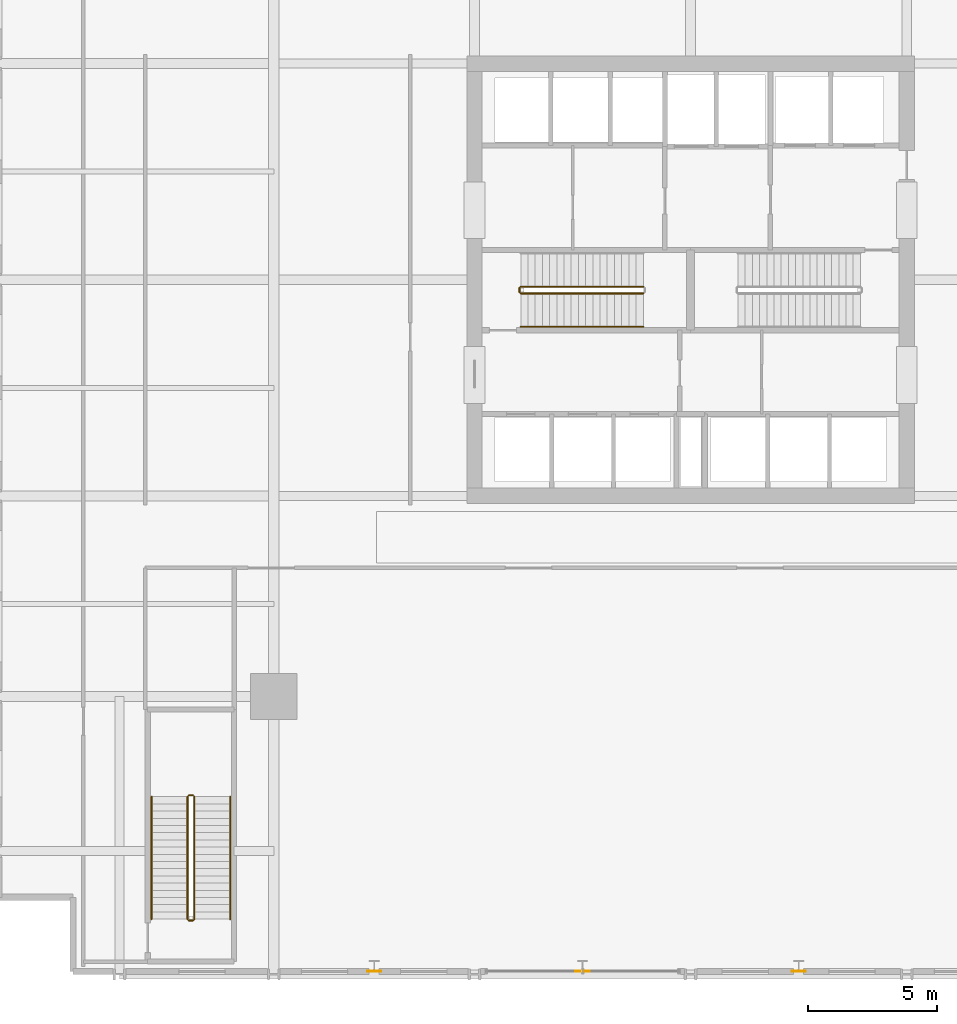
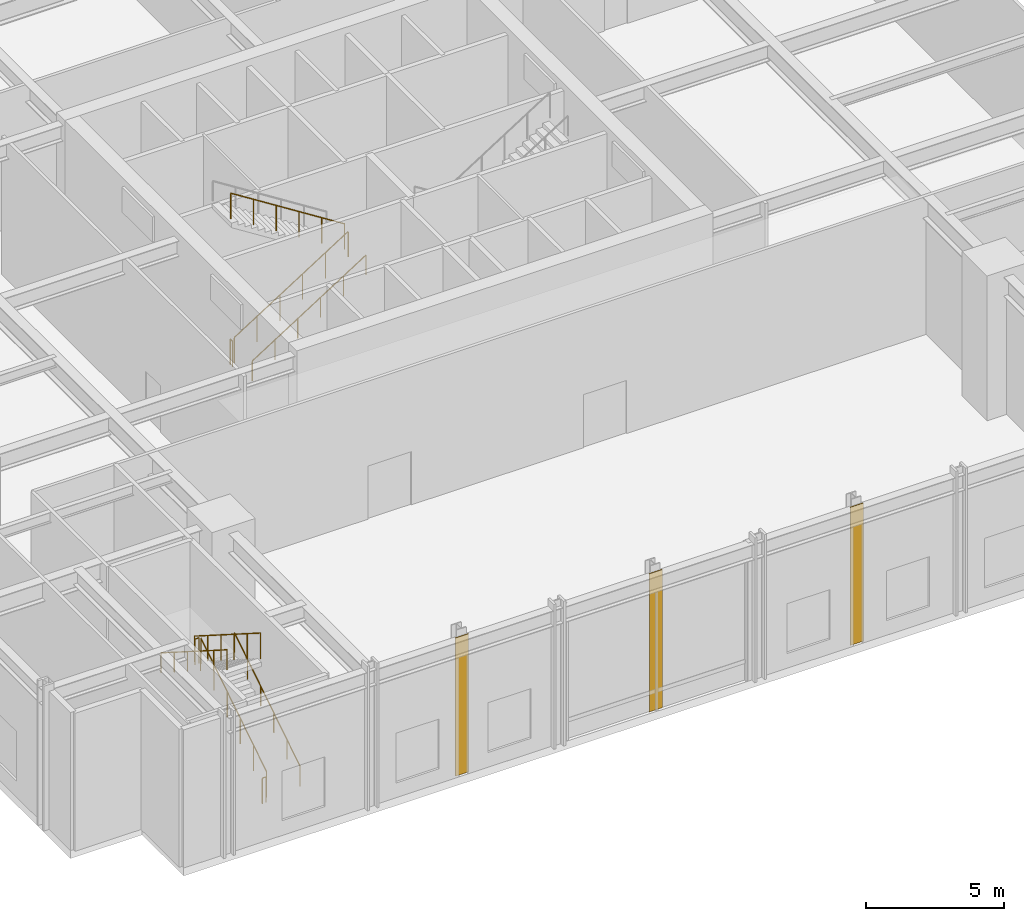
# One storey, part 15 of 20: 10 railings, 3 coverings.
"""IFC4 building model written with IfcOpenShell, lengths in metres."""

from ifc_helpers import new_model, si_unit, direction, frame, origin, origin_2d, place, context, subcontext, project, spatial, rectangle, circle, extrude, material, layer, layer_set, type_object, element, save


model = new_model("IFC4")

# Units and contexts
model_context = context("Model", 3, precision=1e-05, world=origin(), true_north=direction((0.0, 1.0)))
body_context = subcontext(model_context, "Body", "Model", "MODEL_VIEW")
ifc_project = project(units=[si_unit("LENGTHUNIT", "METRE"), si_unit("AREAUNIT", "SQUARE_METRE"), si_unit("VOLUMEUNIT", "CUBIC_METRE"), si_unit("PLANEANGLEUNIT", "RADIAN"), si_unit("MASSUNIT", "GRAM", prefix="KILO")], contexts=[model_context])

# Site, building, storey
site_placement = place(None, origin())
site = spatial("IfcSite", under=ifc_project, at=site_placement, CompositionType="ELEMENT")
building_placement = place(site_placement, origin())
building = spatial("IfcBuilding", under=site, at=building_placement, Name="Drelvath Grand Hotel", CompositionType="ELEMENT")
storey_placement = place(building_placement, frame((0.0, 0.0, 10.800048828125)))
storey = spatial("IfcBuildingStorey", under=building, at=storey_placement, Name="L02", CompositionType="ELEMENT", Elevation=10.800048828125)

# Coverings
ifc_material_1 = material(Name="Warm Bronze Anodised Aluminium Cladding", Category="aluminium")
ifc_layer = layer(ifc_material_1, 0.034912109375)
ifc_layer_set = layer_set([ifc_layer], Name="Warm Bronze Anodised Aluminium Cladding")
covering_type = type_object("IfcCoveringType", Name="Bronze Anodised Pier Cladding Panel 35", PredefinedType="CLADDING", material=ifc_layer_set)
for number, where, z_axis, x_axis, name in (
    (1, (-12.300048828125, 0.1201171875, 0.0), (0.0, 0.0, 1.0), (1.0, 0.0, 0.0), "L02 Colonnade Bronze Pier Cladding S1"),
    (2, (-4.199951171875, 0.1201171875, 0.0), (0.0, 0.0, 1.0), (1.0, 0.0, 0.0), "L02 Colonnade Bronze Pier Cladding S2"),
    (3, (4.199951171875, 0.1201171875, 0.0), (0.0, 0.0, 1.0), (1.0, 0.0, 0.0), "L02 Colonnade Bronze Pier Cladding S3"),
):
    element("IfcCovering", number, at=place(storey_placement, frame(where, z_axis=z_axis, x_axis=x_axis)), inside=storey, type_object=covering_type, Name=name, PredefinedType="CLADDING", context=body_context, shape_type="SweptSolid", body=[
        extrude(rectangle(XDim=0.550048828125, YDim=0.034912109375, at=origin_2d()), origin(), (0.0, 0.0, 1.0), 6.10009765625),
    ])

# Railings
ifc_material_2 = material(Name="Painted Steel S275", Category="steel")
railing_type_1 = type_object("IfcRailingType", Name="Core Stair Wall Handrail 900", PredefinedType="HANDRAIL", material=ifc_material_2)
railing_1_placement = place(storey_placement, frame((-6.60009765625, 25.169921875, 0.177734375)))
element("IfcRailing", 4, at=railing_1_placement, inside=storey, type_object=railing_type_1, Name="L02 ST-1 stair handrail 1", PredefinedType="HANDRAIL", context=body_context, shape_type="SweptSolid", body=[
    extrude(circle(Radius=0.02392578125, at=origin_2d()), frame((0.0, 0.0, 0.8759765625), z_axis=(0.844213748262, 0.0, 0.536006667166), x_axis=(0.0, 1.0, 0.0)), (0.0, 0.0, 1.0), 5.638427734375),
    extrude(circle(Radius=0.02099609375, at=origin_2d()), origin(), (0.0, 0.0, 1.0), 0.851806640625),
    extrude(circle(Radius=0.02099609375, at=origin_2d()), frame((0.951904296875, 0.0, 0.6044921875)), (0.0, 0.0, 1.0), 0.851806640625),
    extrude(circle(Radius=0.02099609375, at=origin_2d()), frame((1.904052734375, 0.0, 1.208984375)), (0.0, 0.0, 1.0), 0.851806640625),
    extrude(circle(Radius=0.02099609375, at=origin_2d()), frame((2.85595703125, 0.0, 1.813232421875)), (0.0, 0.0, 1.0), 0.851806640625),
    extrude(circle(Radius=0.02099609375, at=origin_2d()), frame((3.80810546875, 0.0, 2.417724609375)), (0.0, 0.0, 1.0), 0.851806640625),
    extrude(circle(Radius=0.02099609375, at=origin_2d()), frame((4.760009765625, 0.0, 3.022216796875)), (0.0, 0.0, 1.0), 0.851806640625),
])
railing_2_placement = place(storey_placement, frame((-17.889892578125, 2.14990234375, 0.177734375)))
element("IfcRailing", 5, at=railing_2_placement, inside=storey, type_object=railing_type_1, Name="L02 ST-3 stair handrail 1", PredefinedType="HANDRAIL", context=body_context, shape_type="SweptSolid", body=[
    extrude(circle(Radius=0.02392578125, at=origin_2d()), frame((0.0, 0.0, 0.8759765625), z_axis=(0.0, 0.844213748262, 0.536006667166), x_axis=(-1.0, 0.0, 0.0)), (0.0, 0.0, 1.0), 5.638427734375),
    extrude(circle(Radius=0.02099609375, at=origin_2d()), origin(), (0.0, 0.0, 1.0), 0.851806640625),
    extrude(circle(Radius=0.02099609375, at=origin_2d()), frame((0.0, 0.951904296875, 0.6044921875)), (0.0, 0.0, 1.0), 0.851806640625),
    extrude(circle(Radius=0.02099609375, at=origin_2d()), frame((0.0, 1.904052734375, 1.208984375)), (0.0, 0.0, 1.0), 0.851806640625),
    extrude(circle(Radius=0.02099609375, at=origin_2d()), frame((0.0, 2.85595703125, 1.813232421875)), (0.0, 0.0, 1.0), 0.851806640625),
    extrude(circle(Radius=0.02099609375, at=origin_2d()), frame((0.0, 3.80810546875, 2.417724609375)), (0.0, 0.0, 1.0), 0.851806640625),
    extrude(circle(Radius=0.02099609375, at=origin_2d()), frame((0.0, 4.760009765625, 3.022216796875)), (0.0, 0.0, 1.0), 0.851806640625),
])
railing_3_placement = place(storey_placement, frame((-20.949951171875, 6.909912109375, 3.377685546875)))
element("IfcRailing", 6, at=railing_3_placement, inside=storey, type_object=railing_type_1, Name="L02 ST-3 stair handrail 2", PredefinedType="HANDRAIL", context=body_context, shape_type="SweptSolid", body=[
    extrude(circle(Radius=0.02392578125, at=origin_2d()), frame((0.0, 0.0, 0.8759765625), z_axis=(0.0, -0.844213748262, 0.536006667166), x_axis=(1.0, 0.0, 0.0)), (0.0, 0.0, 1.0), 5.638427734375),
    extrude(circle(Radius=0.02099609375, at=origin_2d()), origin(), (0.0, 0.0, 1.0), 0.851806640625),
    extrude(circle(Radius=0.02099609375, at=origin_2d()), frame((0.0, -0.951904296875, 0.6044921875)), (0.0, 0.0, 1.0), 0.851806640625),
    extrude(circle(Radius=0.02099609375, at=origin_2d()), frame((0.0, -1.904052734375, 1.208984375)), (0.0, 0.0, 1.0), 0.851806640625),
    extrude(circle(Radius=0.02099609375, at=origin_2d()), frame((0.0, -2.85595703125, 1.813232421875)), (0.0, 0.0, 1.0), 0.851806640625),
    extrude(circle(Radius=0.02099609375, at=origin_2d()), frame((0.0, -3.80810546875, 2.417724609375)), (0.0, 0.0, 1.0), 0.851806640625),
    extrude(circle(Radius=0.02099609375, at=origin_2d()), frame((0.0, -4.760009765625, 3.022216796875)), (0.0, 0.0, 1.0), 0.851806640625),
])
railing_type_2 = type_object("IfcRailingType", Name="Core Stair Well Guardrail 1100", PredefinedType="GUARDRAIL", material=ifc_material_2)
railing_4_placement = place(storey_placement, frame((-6.60009765625, 26.469970703125, 0.177734375)))
element("IfcRailing", 7, at=railing_4_placement, inside=storey, type_object=railing_type_2, Name="L02 ST-1 stair guard 1", PredefinedType="GUARDRAIL", context=body_context, shape_type="SweptSolid", body=[
    extrude(circle(Radius=0.02392578125, at=origin_2d()), frame((0.0, 0.0, 1.1259765625), z_axis=(0.844213748262, 0.0, 0.536006667166), x_axis=(0.0, 1.0, 0.0)), (0.0, 0.0, 1.0), 5.638427734375),
    extrude(circle(Radius=0.02099609375, at=origin_2d()), origin(), (0.0, 0.0, 1.0), 1.101806640625),
    extrude(circle(Radius=0.02099609375, at=origin_2d()), frame((0.951904296875, 0.0, 0.6044921875)), (0.0, 0.0, 1.0), 1.101806640625),
    extrude(circle(Radius=0.02099609375, at=origin_2d()), frame((1.904052734375, 0.0, 1.208984375)), (0.0, 0.0, 1.0), 1.101806640625),
    extrude(circle(Radius=0.02099609375, at=origin_2d()), frame((2.85595703125, 0.0, 1.813232421875)), (0.0, 0.0, 1.0), 1.101806640625),
    extrude(circle(Radius=0.02099609375, at=origin_2d()), frame((3.80810546875, 0.0, 2.417724609375)), (0.0, 0.0, 1.0), 1.101806640625),
    extrude(circle(Radius=0.02099609375, at=origin_2d()), frame((4.760009765625, 0.0, 3.022216796875)), (0.0, 0.0, 1.0), 1.101806640625),
])
railing_5_placement = place(storey_placement, frame((-1.840087890625, 26.72998046875, 3.377685546875)))
element("IfcRailing", 8, at=railing_5_placement, inside=storey, type_object=railing_type_2, Name="L02 ST-1 stair guard 3", PredefinedType="GUARDRAIL", context=body_context, shape_type="SweptSolid", body=[
    extrude(circle(Radius=0.02392578125, at=origin_2d()), frame((0.0, 0.0, 1.1259765625), z_axis=(-0.844213748262, 0.0, 0.536006667166), x_axis=(0.0, -1.0, 0.0)), (0.0, 0.0, 1.0), 5.638427734375),
    extrude(circle(Radius=0.02099609375, at=origin_2d()), origin(), (0.0, 0.0, 1.0), 1.101806640625),
    extrude(circle(Radius=0.02099609375, at=origin_2d()), frame((-0.951904296875, 0.0, 0.6044921875)), (0.0, 0.0, 1.0), 1.101806640625),
    extrude(circle(Radius=0.02099609375, at=origin_2d()), frame((-1.904052734375, 0.0, 1.208984375)), (0.0, 0.0, 1.0), 1.101806640625),
    extrude(circle(Radius=0.02099609375, at=origin_2d()), frame((-2.85595703125, 0.0, 1.813232421875)), (0.0, 0.0, 1.0), 1.101806640625),
    extrude(circle(Radius=0.02099609375, at=origin_2d()), frame((-3.80810546875, 0.0, 2.417724609375)), (0.0, 0.0, 1.0), 1.101806640625),
    extrude(circle(Radius=0.02099609375, at=origin_2d()), frame((-4.760009765625, 0.0, 3.022216796875)), (0.0, 0.0, 1.0), 1.101806640625),
])
railing_6_placement = place(storey_placement, frame((-6.64990234375, 26.52001953125, 0.0)))
element("IfcRailing", 9, at=railing_6_placement, inside=storey, type_object=railing_type_2, Name="L02 ST-1 stair guard 4", PredefinedType="GUARDRAIL", context=body_context, shape_type="SweptSolid", body=[
    extrude(circle(Radius=0.02392578125, at=origin_2d()), frame((0.0, 0.0, 1.1259765625), z_axis=(0.0, 1.0, 0.0), x_axis=(-1.0, 0.0, 0.0)), (0.0, 0.0, 1.0), 0.159912109375),
    extrude(circle(Radius=0.02099609375, at=origin_2d()), origin(), (0.0, 0.0, 1.0), 1.101806640625),
    extrude(circle(Radius=0.02099609375, at=origin_2d()), frame((0.0, 0.159912109375, 0.0)), (0.0, 0.0, 1.0), 1.101806640625),
])
railing_7_placement = place(storey_placement, frame((-19.2900390625, 2.14990234375, 0.177734375)))
element("IfcRailing", 10, at=railing_7_placement, inside=storey, type_object=railing_type_2, Name="L02 ST-3 stair guard 1", PredefinedType="GUARDRAIL", context=body_context, shape_type="SweptSolid", body=[
    extrude(circle(Radius=0.02392578125, at=origin_2d()), frame((0.0, 0.0, 1.1259765625), z_axis=(0.0, 0.844213748262, 0.536006667166), x_axis=(-1.0, 0.0, 0.0)), (0.0, 0.0, 1.0), 5.638427734375),
    extrude(circle(Radius=0.02099609375, at=origin_2d()), origin(), (0.0, 0.0, 1.0), 1.101806640625),
    extrude(circle(Radius=0.02099609375, at=origin_2d()), frame((0.0, 0.951904296875, 0.6044921875)), (0.0, 0.0, 1.0), 1.101806640625),
    extrude(circle(Radius=0.02099609375, at=origin_2d()), frame((0.0, 1.904052734375, 1.208984375)), (0.0, 0.0, 1.0), 1.101806640625),
    extrude(circle(Radius=0.02099609375, at=origin_2d()), frame((0.0, 2.85595703125, 1.813232421875)), (0.0, 0.0, 1.0), 1.101806640625),
    extrude(circle(Radius=0.02099609375, at=origin_2d()), frame((0.0, 3.80810546875, 2.417724609375)), (0.0, 0.0, 1.0), 1.101806640625),
    extrude(circle(Radius=0.02099609375, at=origin_2d()), frame((0.0, 4.760009765625, 3.022216796875)), (0.0, 0.0, 1.0), 1.101806640625),
])
railing_8_placement = place(storey_placement, frame((-19.340087890625, 6.9599609375, 3.199951171875)))
element("IfcRailing", 11, at=railing_8_placement, inside=storey, type_object=railing_type_2, Name="L02 ST-3 stair guard 2", PredefinedType="GUARDRAIL", context=body_context, shape_type="SweptSolid", body=[
    extrude(circle(Radius=0.02392578125, at=origin_2d()), frame((0.0, 0.0, 1.1259765625), z_axis=(-1.0, 0.0, 0.0), x_axis=(0.0, -1.0, 0.0)), (0.0, 0.0, 1.0), 0.159912109375),
    extrude(circle(Radius=0.02099609375, at=origin_2d()), origin(), (0.0, 0.0, 1.0), 1.101806640625),
    extrude(circle(Radius=0.02099609375, at=origin_2d()), frame((-0.159912109375, 0.0, 0.0)), (0.0, 0.0, 1.0), 1.101806640625),
])
railing_9_placement = place(storey_placement, frame((-19.550048828125, 6.909912109375, 3.377685546875)))
element("IfcRailing", 12, at=railing_9_placement, inside=storey, type_object=railing_type_2, Name="L02 ST-3 stair guard 3", PredefinedType="GUARDRAIL", context=body_context, shape_type="SweptSolid", body=[
    extrude(circle(Radius=0.02392578125, at=origin_2d()), frame((0.0, 0.0, 1.1259765625), z_axis=(0.0, -0.844213748262, 0.536006667166), x_axis=(1.0, 0.0, 0.0)), (0.0, 0.0, 1.0), 5.638427734375),
    extrude(circle(Radius=0.02099609375, at=origin_2d()), origin(), (0.0, 0.0, 1.0), 1.101806640625),
    extrude(circle(Radius=0.02099609375, at=origin_2d()), frame((0.0, -0.951904296875, 0.6044921875)), (0.0, 0.0, 1.0), 1.101806640625),
    extrude(circle(Radius=0.02099609375, at=origin_2d()), frame((0.0, -1.904052734375, 1.208984375)), (0.0, 0.0, 1.0), 1.101806640625),
    extrude(circle(Radius=0.02099609375, at=origin_2d()), frame((0.0, -2.85595703125, 1.813232421875)), (0.0, 0.0, 1.0), 1.101806640625),
    extrude(circle(Radius=0.02099609375, at=origin_2d()), frame((0.0, -3.80810546875, 2.417724609375)), (0.0, 0.0, 1.0), 1.101806640625),
    extrude(circle(Radius=0.02099609375, at=origin_2d()), frame((0.0, -4.760009765625, 3.022216796875)), (0.0, 0.0, 1.0), 1.101806640625),
])
railing_10_placement = place(storey_placement, frame((-19.340087890625, 2.10009765625, 0.0)))
element("IfcRailing", 13, at=railing_10_placement, inside=storey, type_object=railing_type_2, Name="L02 ST-3 stair guard 4", PredefinedType="GUARDRAIL", context=body_context, shape_type="SweptSolid", body=[
    extrude(circle(Radius=0.02392578125, at=origin_2d()), frame((0.0, 0.0, 1.1259765625), z_axis=(-1.0, 0.0, 0.0), x_axis=(0.0, -1.0, 0.0)), (0.0, 0.0, 1.0), 0.159912109375),
    extrude(circle(Radius=0.02099609375, at=origin_2d()), origin(), (0.0, 0.0, 1.0), 1.101806640625),
    extrude(circle(Radius=0.02099609375, at=origin_2d()), frame((-0.159912109375, 0.0, 0.0)), (0.0, 0.0, 1.0), 1.101806640625),
])

save(model, "model.ifc")
